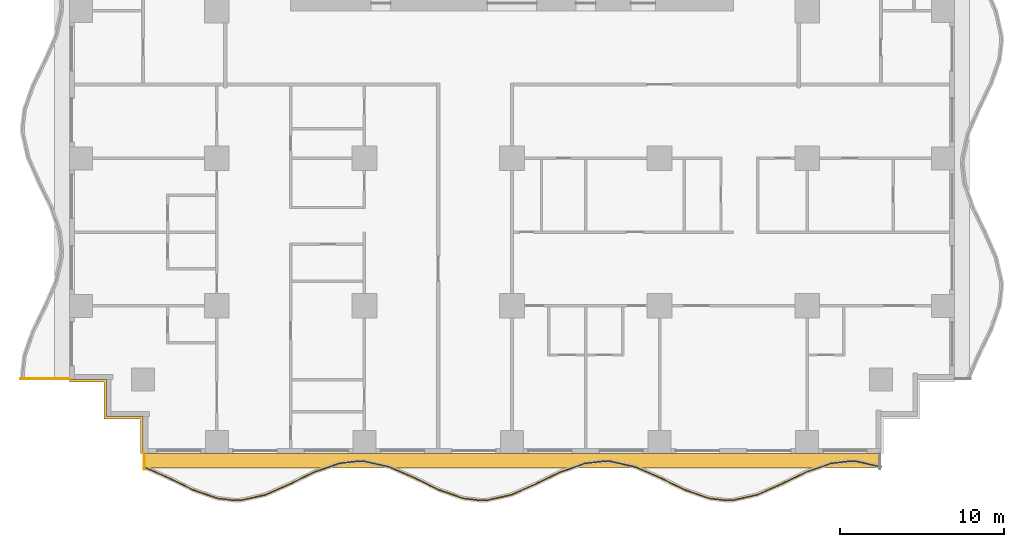
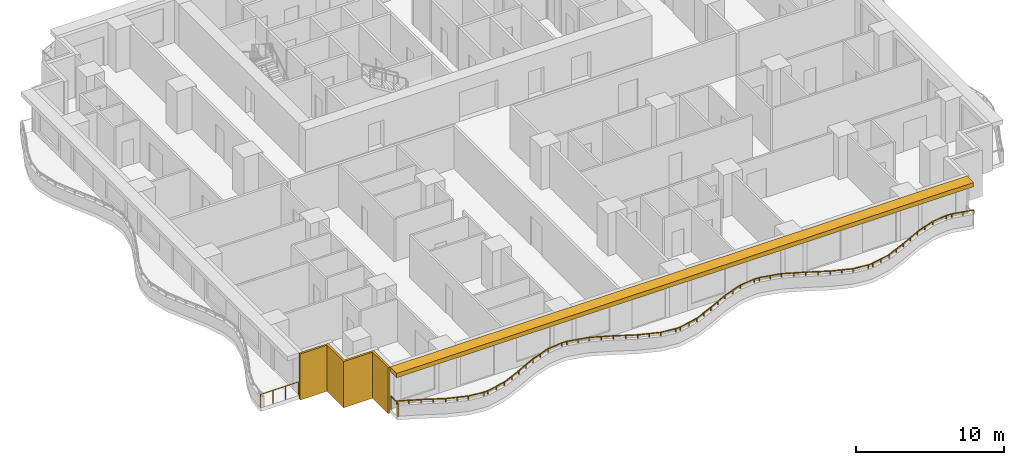
# One storey, part 8 of 14: 3 railings, 2 shading devices.
"""IFC4 building model written with IfcOpenShell, lengths in metres."""

from ifc_helpers import new_model, si_unit, direction, frame, origin, origin_2d, place, context, subcontext, project, spatial, polyline, rectangle, outline, extrude, material, layer, layer_set, type_object, element, save


model = new_model("IFC4")

# Units and contexts
model_context = context("Model", 3, precision=1e-05, world=origin(), true_north=direction((0.0, 1.0)))
body_context = subcontext(model_context, "Body", "Model", "MODEL_VIEW")
ifc_project = project(units=[si_unit("LENGTHUNIT", "METRE"), si_unit("AREAUNIT", "SQUARE_METRE"), si_unit("VOLUMEUNIT", "CUBIC_METRE"), si_unit("PLANEANGLEUNIT", "RADIAN"), si_unit("MASSUNIT", "GRAM", prefix="KILO")], contexts=[model_context])

# Site, building, storey
site_placement = place(None, origin())
site = spatial("IfcSite", under=ifc_project, at=site_placement, CompositionType="ELEMENT")
building_placement = place(site_placement, origin())
building = spatial("IfcBuilding", under=site, at=building_placement, Name="Orbiselva Terraces", CompositionType="ELEMENT")
storey_placement = place(building_placement, frame((0.0, 0.0, 41.6)))
storey = spatial("IfcBuildingStorey", under=building, at=storey_placement, Name="L10", CompositionType="ELEMENT", Elevation=41.6)

# Railings
ifc_material_1 = material(Name="Bonded two-ply safety glass balustrade, stainless steel posts", Category="steel")
railing_type_1 = type_object("IfcRailingType", Name="ENV-BALUSTRADE-1200", PredefinedType="BALUSTRADE", material=ifc_material_1)
railing_1_placement = place(storey_placement, frame((-22.449606, -23.33708, 0.9)))
element("IfcRailing", 1, at=railing_1_placement, inside=storey, type_object=railing_type_1, Name="Balcony balustrade L10 S", PredefinedType="BALUSTRADE", context=body_context, shape_type="SweptSolid", body=[
    extrude(outline(polyline([(0.028868, 0.0), (0.014434, 0.025), (-0.014434, 0.025), (-0.028868, 0.0), (-0.014434, -0.025), (0.014434, -0.025), (0.028868, 0.0)])), frame((0.0, 0.0, 0.275), z_axis=(0.915133394491, -0.403151175476, 0.0), x_axis=(0.403151175476, 0.915133394491, 0.0)), (0.0, 0.0, 1.0), 1.641563),
    extrude(outline(polyline([(0.028868, 0.0), (0.014434, 0.025), (-0.014434, 0.025), (-0.028868, 0.0), (-0.014434, -0.025), (0.014434, -0.025), (0.028868, 0.0)])), frame((1.502249, -0.661798, 0.275), z_axis=(0.89857890432, -0.438811978768, 0.0), x_axis=(0.438811978768, 0.89857890432, 0.0)), (0.0, 0.0, 1.0), 1.66438),
    extrude(outline(polyline([(0.028868, 0.0), (0.014434, 0.025), (-0.014434, 0.025), (-0.028868, 0.0), (-0.014434, -0.025), (0.014434, -0.025), (0.028868, 0.0)])), frame((2.997826, -1.392148, 0.275), z_axis=(0.943972277814, -0.330024754707, 0.0), x_axis=(0.330024754707, 0.943972277814, 0.0)), (0.0, 0.0, 1.0), 1.567807),
    extrude(outline(polyline([(0.028868, 0.0), (0.014434, 0.025), (-0.014434, 0.025), (-0.028868, 0.0), (-0.014434, -0.025), (0.014434, -0.025), (0.028868, 0.0)])), frame((4.477792, -1.909563, 0.275), z_axis=(0.993309658409, -0.115481264762, 0.0), x_axis=(0.115481264762, 0.993309658409, 0.0)), (0.0, 0.0, 1.0), 1.10902),
    extrude(outline(polyline([(0.028868, 0.0), (0.014434, 0.025), (-0.014434, 0.025), (-0.028868, 0.0), (-0.014434, -0.025), (0.014434, -0.025), (0.028868, 0.0)])), frame((5.579392, -2.037634, 0.275), z_axis=(0.999224931454, 0.039364150694, 0.0), x_axis=(-0.039364150694, 0.999224931454, 0.0)), (0.0, 0.0, 1.0), 0.354206),
    extrude(outline(polyline([(0.028868, 0.0), (0.014434, 0.025), (-0.014434, 0.025), (-0.028868, 0.0), (-0.014434, -0.025), (0.014434, -0.025), (0.028868, 0.0)])), frame((5.933323, -2.023691, 0.275), z_axis=(0.975721325753, 0.219015740235, 0.0), x_axis=(-0.219015740235, 0.975721325753, 0.0)), (0.0, 0.0, 1.0), 1.513782),
    extrude(outline(polyline([(0.028868, 0.0), (0.014434, 0.025), (-0.014434, 0.025), (-0.028868, 0.0), (-0.014434, -0.025), (0.014434, -0.025), (0.028868, 0.0)])), frame((7.410352, -1.692149, 0.275), z_axis=(0.915133363686, 0.403151245402, 0.0), x_axis=(-0.403151245402, 0.915133363686, 0.0)), (0.0, 0.0, 1.0), 1.624475),
    extrude(outline(polyline([(0.028868, 0.0), (0.014434, 0.025), (-0.014434, 0.025), (-0.028868, 0.0), (-0.014434, -0.025), (0.014434, -0.025), (0.028868, 0.0)])), frame((8.896963, -1.03724, 0.275), z_axis=(0.898578870221, 0.438812048596, 0.0), x_axis=(-0.438812048596, 0.898578870221, 0.0)), (0.0, 0.0, 1.0), 1.674225),
    extrude(outline(polyline([(0.028868, 0.0), (0.014434, 0.025), (-0.014434, 0.025), (-0.028868, 0.0), (-0.014434, -0.025), (0.014434, -0.025), (0.028868, 0.0)])), frame((10.401386, -0.30257, 0.275), z_axis=(0.943972332783, 0.330024597479, 0.0), x_axis=(-0.330024597479, 0.943972332783, 0.0)), (0.0, 0.0, 1.0), 1.610253),
    extrude(outline(polyline([(0.028868, 0.0), (0.014434, 0.025), (-0.014434, 0.025), (-0.028868, 0.0), (-0.014434, -0.025), (0.014434, -0.025), (0.028868, 0.0)])), frame((11.92142, 0.228853, 0.275), z_axis=(0.993309551734, 0.115482182324, 0.0), x_axis=(-0.115482182324, 0.993309551734, 0.0)), (0.0, 0.0, 1.0), 1.156135),
    extrude(outline(polyline([(0.028868, 0.0), (0.014434, 0.025), (-0.014434, 0.025), (-0.028868, 0.0), (-0.014434, -0.025), (0.014434, -0.025), (0.028868, 0.0)])), frame((13.06982, 0.362366, 0.275), z_axis=(0.999224734286, -0.03936915532, 0.0), x_axis=(0.03936915532, 0.999224734286, 0.0)), (0.0, 0.0, 1.0), 0.396376),
    extrude(outline(polyline([(0.028868, 0.0), (0.014434, 0.025), (-0.014434, 0.025), (-0.028868, 0.0), (-0.014434, -0.025), (0.014434, -0.025), (0.028868, 0.0)])), frame((13.465889, 0.346761, 0.275), z_axis=(0.97572137947, -0.219015500924, 0.0), x_axis=(0.219015500924, 0.97572137947, 0.0)), (0.0, 0.0, 1.0), 1.560867),
    extrude(outline(polyline([(0.028868, 0.0), (0.014434, 0.025), (-0.014434, 0.025), (-0.028868, 0.0), (-0.014434, -0.025), (0.014434, -0.025), (0.028868, 0.0)])), frame((14.98886, 0.004907, 0.275), z_axis=(0.915133527237, -0.403150874148, 0.0), x_axis=(0.403150874148, 0.915133527237, 0.0)), (0.0, 0.0, 1.0), 1.653736),
    extrude(outline(polyline([(0.028868, 0.0), (0.014434, 0.025), (-0.014434, 0.025), (-0.028868, 0.0), (-0.014434, -0.025), (0.014434, -0.025), (0.028868, 0.0)])), frame((16.502249, -0.661798, 0.275), z_axis=(0.89857890432, -0.438811978768, 0.0), x_axis=(0.438811978768, 0.89857890432, 0.0)), (0.0, 0.0, 1.0), 1.66438),
    extrude(outline(polyline([(0.028868, 0.0), (0.014434, 0.025), (-0.014434, 0.025), (-0.028868, 0.0), (-0.014434, -0.025), (0.014434, -0.025), (0.028868, 0.0)])), frame((17.997826, -1.392148, 0.275), z_axis=(0.943972277814, -0.330024754707, 0.0), x_axis=(0.330024754707, 0.943972277814, 0.0)), (0.0, 0.0, 1.0), 1.567807),
    extrude(outline(polyline([(0.028868, 0.0), (0.014434, 0.025), (-0.014434, 0.025), (-0.028868, 0.0), (-0.014434, -0.025), (0.014434, -0.025), (0.028868, 0.0)])), frame((19.477792, -1.909563, 0.275), z_axis=(0.993309658409, -0.115481264762, 0.0), x_axis=(0.115481264762, 0.993309658409, 0.0)), (0.0, 0.0, 1.0), 1.10902),
    extrude(outline(polyline([(0.028868, 0.0), (0.014434, 0.025), (-0.014434, 0.025), (-0.028868, 0.0), (-0.014434, -0.025), (0.014434, -0.025), (0.028868, 0.0)])), frame((20.579392, -2.037634, 0.275), z_axis=(0.999224931454, 0.039364150694, 0.0), x_axis=(-0.039364150694, 0.999224931454, 0.0)), (0.0, 0.0, 1.0), 0.354206),
    extrude(outline(polyline([(0.028868, 0.0), (0.014434, 0.025), (-0.014434, 0.025), (-0.028868, 0.0), (-0.014434, -0.025), (0.014434, -0.025), (0.028868, 0.0)])), frame((20.933323, -2.023691, 0.275), z_axis=(0.975721325753, 0.219015740235, 0.0), x_axis=(-0.219015740235, 0.975721325753, 0.0)), (0.0, 0.0, 1.0), 1.513782),
    extrude(outline(polyline([(0.028868, 0.0), (0.014434, 0.025), (-0.014434, 0.025), (-0.028868, 0.0), (-0.014434, -0.025), (0.014434, -0.025), (0.028868, 0.0)])), frame((22.410352, -1.692149, 0.275), z_axis=(0.915133363686, 0.403151245402, 0.0), x_axis=(-0.403151245402, 0.915133363686, 0.0)), (0.0, 0.0, 1.0), 1.624475),
    extrude(outline(polyline([(0.028868, 0.0), (0.014434, 0.025), (-0.014434, 0.025), (-0.028868, 0.0), (-0.014434, -0.025), (0.014434, -0.025), (0.028868, 0.0)])), frame((23.896963, -1.03724, 0.275), z_axis=(0.898578870221, 0.438812048596, 0.0), x_axis=(-0.438812048596, 0.898578870221, 0.0)), (0.0, 0.0, 1.0), 1.674225),
    extrude(outline(polyline([(0.028868, 0.0), (0.014434, 0.025), (-0.014434, 0.025), (-0.028868, 0.0), (-0.014434, -0.025), (0.014434, -0.025), (0.028868, 0.0)])), frame((25.401386, -0.30257, 0.275), z_axis=(0.943972332783, 0.330024597479, 0.0), x_axis=(-0.330024597479, 0.943972332783, 0.0)), (0.0, 0.0, 1.0), 1.610253),
    extrude(outline(polyline([(0.028868, 0.0), (0.014434, 0.025), (-0.014434, 0.025), (-0.028868, 0.0), (-0.014434, -0.025), (0.014434, -0.025), (0.028868, 0.0)])), frame((26.92142, 0.228853, 0.275), z_axis=(0.993309551734, 0.115482182324, 0.0), x_axis=(-0.115482182324, 0.993309551734, 0.0)), (0.0, 0.0, 1.0), 1.156135),
    extrude(outline(polyline([(0.028868, 0.0), (0.014434, 0.025), (-0.014434, 0.025), (-0.028868, 0.0), (-0.014434, -0.025), (0.014434, -0.025), (0.028868, 0.0)])), frame((28.06982, 0.362366, 0.275), z_axis=(0.999224734286, -0.03936915532, 0.0), x_axis=(0.03936915532, 0.999224734286, 0.0)), (0.0, 0.0, 1.0), 0.396376),
    extrude(outline(polyline([(0.028868, 0.0), (0.014434, 0.025), (-0.014434, 0.025), (-0.028868, 0.0), (-0.014434, -0.025), (0.014434, -0.025), (0.028868, 0.0)])), frame((28.465889, 0.346761, 0.275), z_axis=(0.97572137947, -0.219015500924, 0.0), x_axis=(0.219015500924, 0.97572137947, 0.0)), (0.0, 0.0, 1.0), 1.560867),
    extrude(outline(polyline([(0.028868, 0.0), (0.014434, 0.025), (-0.014434, 0.025), (-0.028868, 0.0), (-0.014434, -0.025), (0.014434, -0.025), (0.028868, 0.0)])), frame((29.98886, 0.004907, 0.275), z_axis=(0.915133527237, -0.403150874148, 0.0), x_axis=(0.403150874148, 0.915133527237, 0.0)), (0.0, 0.0, 1.0), 1.653736),
    extrude(outline(polyline([(0.028868, 0.0), (0.014434, 0.025), (-0.014434, 0.025), (-0.028868, 0.0), (-0.014434, -0.025), (0.014434, -0.025), (0.028868, 0.0)])), frame((31.502249, -0.661798, 0.275), z_axis=(0.89857890432, -0.438811978768, 0.0), x_axis=(0.438811978768, 0.89857890432, 0.0)), (0.0, 0.0, 1.0), 1.66438),
    extrude(outline(polyline([(0.028868, 0.0), (0.014434, 0.025), (-0.014434, 0.025), (-0.028868, 0.0), (-0.014434, -0.025), (0.014434, -0.025), (0.028868, 0.0)])), frame((32.997826, -1.392148, 0.275), z_axis=(0.943972277814, -0.330024754707, 0.0), x_axis=(0.330024754707, 0.943972277814, 0.0)), (0.0, 0.0, 1.0), 1.567807),
    extrude(outline(polyline([(0.028868, 0.0), (0.014434, 0.025), (-0.014434, 0.025), (-0.028868, 0.0), (-0.014434, -0.025), (0.014434, -0.025), (0.028868, 0.0)])), frame((34.477792, -1.909563, 0.275), z_axis=(0.993309658409, -0.115481264762, 0.0), x_axis=(0.115481264762, 0.993309658409, 0.0)), (0.0, 0.0, 1.0), 1.10902),
    extrude(outline(polyline([(0.028868, 0.0), (0.014434, 0.025), (-0.014434, 0.025), (-0.028868, 0.0), (-0.014434, -0.025), (0.014434, -0.025), (0.028868, 0.0)])), frame((35.579392, -2.037634, 0.275), z_axis=(0.999224931454, 0.039364150694, 0.0), x_axis=(-0.039364150694, 0.999224931454, 0.0)), (0.0, 0.0, 1.0), 0.354206),
    extrude(outline(polyline([(0.028868, 0.0), (0.014434, 0.025), (-0.014434, 0.025), (-0.028868, 0.0), (-0.014434, -0.025), (0.014434, -0.025), (0.028868, 0.0)])), frame((35.933323, -2.023691, 0.275), z_axis=(0.975721325753, 0.219015740235, 0.0), x_axis=(-0.219015740235, 0.975721325753, 0.0)), (0.0, 0.0, 1.0), 1.513782),
    extrude(outline(polyline([(0.028868, 0.0), (0.014434, 0.025), (-0.014434, 0.025), (-0.028868, 0.0), (-0.014434, -0.025), (0.014434, -0.025), (0.028868, 0.0)])), frame((37.410352, -1.692149, 0.275), z_axis=(0.915133363686, 0.403151245402, 0.0), x_axis=(-0.403151245402, 0.915133363686, 0.0)), (0.0, 0.0, 1.0), 1.624475),
    extrude(outline(polyline([(0.028868, 0.0), (0.014434, 0.025), (-0.014434, 0.025), (-0.028868, 0.0), (-0.014434, -0.025), (0.014434, -0.025), (0.028868, 0.0)])), frame((38.896963, -1.03724, 0.275), z_axis=(0.898578870221, 0.438812048596, 0.0), x_axis=(-0.438812048596, 0.898578870221, 0.0)), (0.0, 0.0, 1.0), 1.674225),
    extrude(outline(polyline([(0.028868, 0.0), (0.014434, 0.025), (-0.014434, 0.025), (-0.028868, 0.0), (-0.014434, -0.025), (0.014434, -0.025), (0.028868, 0.0)])), frame((40.401386, -0.30257, 0.275), z_axis=(0.943972332783, 0.330024597479, 0.0), x_axis=(-0.330024597479, 0.943972332783, 0.0)), (0.0, 0.0, 1.0), 1.610253),
    extrude(outline(polyline([(0.028868, 0.0), (0.014434, 0.025), (-0.014434, 0.025), (-0.028868, 0.0), (-0.014434, -0.025), (0.014434, -0.025), (0.028868, 0.0)])), frame((41.92142, 0.228853, 0.275), z_axis=(0.993309551734, 0.115482182324, 0.0), x_axis=(-0.115482182324, 0.993309551734, 0.0)), (0.0, 0.0, 1.0), 1.156135),
    extrude(outline(polyline([(0.028868, 0.0), (0.014434, 0.025), (-0.014434, 0.025), (-0.028868, 0.0), (-0.014434, -0.025), (0.014434, -0.025), (0.028868, 0.0)])), frame((43.06982, 0.362366, 0.275), z_axis=(0.999224734286, -0.03936915532, 0.0), x_axis=(0.03936915532, 0.999224734286, 0.0)), (0.0, 0.0, 1.0), 0.396376),
    extrude(outline(polyline([(0.028868, 0.0), (0.014434, 0.025), (-0.014434, 0.025), (-0.028868, 0.0), (-0.014434, -0.025), (0.014434, -0.025), (0.028868, 0.0)])), frame((43.465889, 0.346761, 0.275), z_axis=(0.97572138316, -0.219015484484, 0.0), x_axis=(0.219015484484, 0.97572138316, 0.0)), (0.0, 0.0, 1.0), 1.548694),
    extrude(rectangle(XDim=0.05, YDim=0.05, at=origin_2d()), origin(), (0.0, 0.0, 1.0), 0.25),
    extrude(rectangle(XDim=0.05, YDim=0.05, at=origin_2d()), frame((0.751124, -0.330899, 0.0)), (0.0, 0.0, 1.0), 0.25),
    extrude(rectangle(XDim=0.05, YDim=0.05, at=origin_2d()), frame((1.502249, -0.661798, 0.0)), (0.0, 0.0, 1.0), 0.25),
    extrude(rectangle(XDim=0.05, YDim=0.05, at=origin_2d()), frame((2.250037, -1.026973, 0.0)), (0.0, 0.0, 1.0), 0.25),
    extrude(rectangle(XDim=0.05, YDim=0.05, at=origin_2d()), frame((2.997826, -1.392148, 0.0)), (0.0, 0.0, 1.0), 0.25),
    extrude(rectangle(XDim=0.05, YDim=0.05, at=origin_2d()), frame((3.737809, -1.650855, 0.0)), (0.0, 0.0, 1.0), 0.25),
    extrude(rectangle(XDim=0.05, YDim=0.05, at=origin_2d()), frame((4.477792, -1.909563, 0.0)), (0.0, 0.0, 1.0), 0.25),
    extrude(rectangle(XDim=0.05, YDim=0.05, at=origin_2d()), frame((5.579392, -2.037634, 0.0)), (0.0, 0.0, 1.0), 0.25),
    extrude(rectangle(XDim=0.05, YDim=0.05, at=origin_2d()), frame((5.933323, -2.023691, 0.0)), (0.0, 0.0, 1.0), 0.25),
    extrude(rectangle(XDim=0.05, YDim=0.05, at=origin_2d()), frame((6.671837, -1.85792, 0.0)), (0.0, 0.0, 1.0), 0.25),
    extrude(rectangle(XDim=0.05, YDim=0.05, at=origin_2d()), frame((7.410352, -1.692149, 0.0)), (0.0, 0.0, 1.0), 0.25),
    extrude(rectangle(XDim=0.05, YDim=0.05, at=origin_2d()), frame((8.153658, -1.364695, 0.0)), (0.0, 0.0, 1.0), 0.25),
    extrude(rectangle(XDim=0.05, YDim=0.05, at=origin_2d()), frame((8.896963, -1.03724, 0.0)), (0.0, 0.0, 1.0), 0.25),
    extrude(rectangle(XDim=0.05, YDim=0.05, at=origin_2d()), frame((9.649174, -0.669905, 0.0)), (0.0, 0.0, 1.0), 0.25),
    extrude(rectangle(XDim=0.05, YDim=0.05, at=origin_2d()), frame((10.401386, -0.30257, 0.0)), (0.0, 0.0, 1.0), 0.25),
    extrude(rectangle(XDim=0.05, YDim=0.05, at=origin_2d()), frame((11.161403, -0.036858, 0.0)), (0.0, 0.0, 1.0), 0.25),
    extrude(rectangle(XDim=0.05, YDim=0.05, at=origin_2d()), frame((11.92142, 0.228853, 0.0)), (0.0, 0.0, 1.0), 0.25),
    extrude(rectangle(XDim=0.05, YDim=0.05, at=origin_2d()), frame((13.06982, 0.362366, 0.0)), (0.0, 0.0, 1.0), 0.25),
    extrude(rectangle(XDim=0.05, YDim=0.05, at=origin_2d()), frame((13.465889, 0.346761, 0.0)), (0.0, 0.0, 1.0), 0.25),
    extrude(rectangle(XDim=0.05, YDim=0.05, at=origin_2d()), frame((14.227374, 0.175834, 0.0)), (0.0, 0.0, 1.0), 0.25),
    extrude(rectangle(XDim=0.05, YDim=0.05, at=origin_2d()), frame((14.98886, 0.004907, 0.0)), (0.0, 0.0, 1.0), 0.25),
    extrude(rectangle(XDim=0.05, YDim=0.05, at=origin_2d()), frame((15.745554, -0.328446, 0.0)), (0.0, 0.0, 1.0), 0.25),
    extrude(rectangle(XDim=0.05, YDim=0.05, at=origin_2d()), frame((16.502249, -0.661798, 0.0)), (0.0, 0.0, 1.0), 0.25),
    extrude(rectangle(XDim=0.05, YDim=0.05, at=origin_2d()), frame((17.250037, -1.026973, 0.0)), (0.0, 0.0, 1.0), 0.25),
    extrude(rectangle(XDim=0.05, YDim=0.05, at=origin_2d()), frame((17.997826, -1.392148, 0.0)), (0.0, 0.0, 1.0), 0.25),
    extrude(rectangle(XDim=0.05, YDim=0.05, at=origin_2d()), frame((18.737809, -1.650855, 0.0)), (0.0, 0.0, 1.0), 0.25),
    extrude(rectangle(XDim=0.05, YDim=0.05, at=origin_2d()), frame((19.477792, -1.909563, 0.0)), (0.0, 0.0, 1.0), 0.25),
    extrude(rectangle(XDim=0.05, YDim=0.05, at=origin_2d()), frame((20.579392, -2.037634, 0.0)), (0.0, 0.0, 1.0), 0.25),
    extrude(rectangle(XDim=0.05, YDim=0.05, at=origin_2d()), frame((20.933323, -2.023691, 0.0)), (0.0, 0.0, 1.0), 0.25),
    extrude(rectangle(XDim=0.05, YDim=0.05, at=origin_2d()), frame((21.671838, -1.85792, 0.0)), (0.0, 0.0, 1.0), 0.25),
    extrude(rectangle(XDim=0.05, YDim=0.05, at=origin_2d()), frame((22.410352, -1.692149, 0.0)), (0.0, 0.0, 1.0), 0.25),
    extrude(rectangle(XDim=0.05, YDim=0.05, at=origin_2d()), frame((23.153658, -1.364695, 0.0)), (0.0, 0.0, 1.0), 0.25),
    extrude(rectangle(XDim=0.05, YDim=0.05, at=origin_2d()), frame((23.896963, -1.03724, 0.0)), (0.0, 0.0, 1.0), 0.25),
    extrude(rectangle(XDim=0.05, YDim=0.05, at=origin_2d()), frame((24.649174, -0.669905, 0.0)), (0.0, 0.0, 1.0), 0.25),
    extrude(rectangle(XDim=0.05, YDim=0.05, at=origin_2d()), frame((25.401386, -0.30257, 0.0)), (0.0, 0.0, 1.0), 0.25),
    extrude(rectangle(XDim=0.05, YDim=0.05, at=origin_2d()), frame((26.161403, -0.036858, 0.0)), (0.0, 0.0, 1.0), 0.25),
    extrude(rectangle(XDim=0.05, YDim=0.05, at=origin_2d()), frame((26.92142, 0.228853, 0.0)), (0.0, 0.0, 1.0), 0.25),
    extrude(rectangle(XDim=0.05, YDim=0.05, at=origin_2d()), frame((28.06982, 0.362366, 0.0)), (0.0, 0.0, 1.0), 0.25),
    extrude(rectangle(XDim=0.05, YDim=0.05, at=origin_2d()), frame((28.465889, 0.346761, 0.0)), (0.0, 0.0, 1.0), 0.25),
    extrude(rectangle(XDim=0.05, YDim=0.05, at=origin_2d()), frame((29.227374, 0.175834, 0.0)), (0.0, 0.0, 1.0), 0.25),
    extrude(rectangle(XDim=0.05, YDim=0.05, at=origin_2d()), frame((29.98886, 0.004907, 0.0)), (0.0, 0.0, 1.0), 0.25),
    extrude(rectangle(XDim=0.05, YDim=0.05, at=origin_2d()), frame((30.745554, -0.328446, 0.0)), (0.0, 0.0, 1.0), 0.25),
    extrude(rectangle(XDim=0.05, YDim=0.05, at=origin_2d()), frame((31.502249, -0.661798, 0.0)), (0.0, 0.0, 1.0), 0.25),
    extrude(rectangle(XDim=0.05, YDim=0.05, at=origin_2d()), frame((32.250038, -1.026973, 0.0)), (0.0, 0.0, 1.0), 0.25),
    extrude(rectangle(XDim=0.05, YDim=0.05, at=origin_2d()), frame((32.997826, -1.392148, 0.0)), (0.0, 0.0, 1.0), 0.25),
    extrude(rectangle(XDim=0.05, YDim=0.05, at=origin_2d()), frame((33.737809, -1.650855, 0.0)), (0.0, 0.0, 1.0), 0.25),
    extrude(rectangle(XDim=0.05, YDim=0.05, at=origin_2d()), frame((34.477792, -1.909563, 0.0)), (0.0, 0.0, 1.0), 0.25),
    extrude(rectangle(XDim=0.05, YDim=0.05, at=origin_2d()), frame((35.579392, -2.037634, 0.0)), (0.0, 0.0, 1.0), 0.25),
    extrude(rectangle(XDim=0.05, YDim=0.05, at=origin_2d()), frame((35.933323, -2.023691, 0.0)), (0.0, 0.0, 1.0), 0.25),
    extrude(rectangle(XDim=0.05, YDim=0.05, at=origin_2d()), frame((36.671838, -1.85792, 0.0)), (0.0, 0.0, 1.0), 0.25),
    extrude(rectangle(XDim=0.05, YDim=0.05, at=origin_2d()), frame((37.410352, -1.692149, 0.0)), (0.0, 0.0, 1.0), 0.25),
    extrude(rectangle(XDim=0.05, YDim=0.05, at=origin_2d()), frame((38.153658, -1.364695, 0.0)), (0.0, 0.0, 1.0), 0.25),
    extrude(rectangle(XDim=0.05, YDim=0.05, at=origin_2d()), frame((38.896963, -1.03724, 0.0)), (0.0, 0.0, 1.0), 0.25),
    extrude(rectangle(XDim=0.05, YDim=0.05, at=origin_2d()), frame((39.649174, -0.669905, 0.0)), (0.0, 0.0, 1.0), 0.25),
    extrude(rectangle(XDim=0.05, YDim=0.05, at=origin_2d()), frame((40.401386, -0.30257, 0.0)), (0.0, 0.0, 1.0), 0.25),
    extrude(rectangle(XDim=0.05, YDim=0.05, at=origin_2d()), frame((41.161403, -0.036858, 0.0)), (0.0, 0.0, 1.0), 0.25),
    extrude(rectangle(XDim=0.05, YDim=0.05, at=origin_2d()), frame((41.92142, 0.228853, 0.0)), (0.0, 0.0, 1.0), 0.25),
    extrude(rectangle(XDim=0.05, YDim=0.05, at=origin_2d()), frame((43.06982, 0.362366, 0.0)), (0.0, 0.0, 1.0), 0.25),
    extrude(rectangle(XDim=0.05, YDim=0.05, at=origin_2d()), frame((43.465889, 0.346761, 0.0)), (0.0, 0.0, 1.0), 0.25),
    extrude(rectangle(XDim=0.05, YDim=0.05, at=origin_2d()), frame((44.221436, 0.177167, 0.0)), (0.0, 0.0, 1.0), 0.25),
    extrude(rectangle(XDim=0.05, YDim=0.05, at=origin_2d()), frame((44.976983, 0.007573, 0.0)), (0.0, 0.0, 1.0), 0.25),
])
ifc_material_2 = material(Name="Stainless steel rail and posts", Category="steel")
railing_type_2 = type_object("IfcRailingType", Name="ENV-GUARD-1105", PredefinedType="BALUSTRADE", material=ifc_material_2)
railing_2_placement = place(storey_placement, frame((-22.44, -23.473063, 0.0)))
element("IfcRailing", 2, at=railing_2_placement, inside=storey, type_object=railing_type_2, Name="Balcony end guard L10 S", PredefinedType="BALUSTRADE", context=body_context, shape_type="SweptSolid", body=[
    extrude(outline(polyline([(0.028868, 0.0), (0.014434, 0.025), (-0.014434, 0.025), (-0.028868, 0.0), (-0.014434, -0.025), (0.014434, -0.025), (0.028868, 0.0)])), frame((0.0, 0.0, 1.08), z_axis=(0.0, 1.0, 0.0), x_axis=(-1.0, 0.0, 0.0)), (0.0, 0.0, 1.0), 0.948063),
    extrude(rectangle(XDim=0.05, YDim=0.05, at=origin_2d()), origin(), (0.0, 0.0, 1.0), 1.055),
    extrude(rectangle(XDim=0.05, YDim=0.05, at=origin_2d()), frame((0.0, 0.948063, 0.0)), (0.0, 0.0, 1.0), 1.055),
])
railing_3_placement = place(storey_placement, frame((-29.989569, -17.94, 0.0)))
element("IfcRailing", 3, at=railing_3_placement, inside=storey, type_object=railing_type_2, Name="Balcony end guard L10 W", PredefinedType="BALUSTRADE", context=body_context, shape_type="SweptSolid", body=[
    extrude(outline(polyline([(0.028868, 0.0), (0.014434, 0.025), (-0.014434, 0.025), (-0.028868, 0.0), (-0.014434, -0.025), (0.014434, -0.025), (0.028868, 0.0)])), frame((0.0, 0.0, 1.08), z_axis=(1.0, 0.0, 0.0), x_axis=(0.0, 1.0, 0.0)), (0.0, 0.0, 1.0), 2.964569),
    extrude(rectangle(XDim=0.05, YDim=0.05, at=origin_2d()), origin(), (0.0, 0.0, 1.0), 1.055),
    extrude(rectangle(XDim=0.05, YDim=0.05, at=origin_2d()), frame((0.98819, 0.0, 0.0)), (0.0, 0.0, 1.0), 1.055),
    extrude(rectangle(XDim=0.05, YDim=0.05, at=origin_2d()), frame((1.976379, 0.0, 0.0)), (0.0, 0.0, 1.0), 1.055),
    extrude(rectangle(XDim=0.05, YDim=0.05, at=origin_2d()), frame((2.964569, 0.0, 0.0)), (0.0, 0.0, 1.0), 1.055),
])

# Shading devices
ifc_material_3 = material(Name="Terracotta louvre screen", Category="masonry")
ifc_layer_1 = layer(ifc_material_3, 0.15)
ifc_layer_set_1 = layer_set([ifc_layer_1], Name="Terracotta louvre screen")
shading_device_type_1 = type_object("IfcShadingDeviceType", Name="ENV-SCREEN-150", PredefinedType="USERDEFINED", material=ifc_layer_set_1)
shading_device_1_placement = place(storey_placement, frame((0.0, 0.0, -0.3)))
element("IfcShadingDevice", 4, at=shading_device_1_placement, inside=storey, type_object=shading_device_type_1, Name="Louvre screen L10 SW", ObjectType="SCREEN", PredefinedType="USERDEFINED", context=body_context, shape_type="SweptSolid", body=[
    extrude(outline(polyline([(-27.0, -18.15), (-24.9, -18.15), (-24.9, -20.4), (-22.65, -20.4), (-22.65, -22.5), (-22.5, -22.5), (-22.5, -20.25), (-24.75, -20.25), (-24.75, -18.0), (-27.0, -18.0), (-27.0, -18.15)])), origin(), (0.0, 0.0, 1.0), 3.8),
])
ifc_material_4 = material(Name="Terracotta baguette sunshade", Category="masonry")
ifc_layer_2 = layer(ifc_material_4, 0.35)
ifc_layer_set_2 = layer_set([ifc_layer_2], Name="Terracotta baguette sunshade")
shading_device_type_2 = type_object("IfcShadingDeviceType", Name="ENV-SUNSHADE-900x350", PredefinedType="USERDEFINED", material=ifc_layer_set_2)
shading_device_2_placement = place(storey_placement, frame((0.0, 0.0, 3.15)))
element("IfcShadingDevice", 5, at=shading_device_2_placement, inside=storey, type_object=shading_device_type_2, Name="Sunshade band L10 S", ObjectType="SUNSHADE", PredefinedType="USERDEFINED", context=body_context, shape_type="SweptSolid", body=[
    extrude(outline(polyline([(-22.5, -23.4), (22.5, -23.4), (22.5, -22.5), (-22.5, -22.5), (-22.5, -23.4)])), origin(), (0.0, 0.0, 1.0), 0.35),
])

save(model, "model.ifc")
